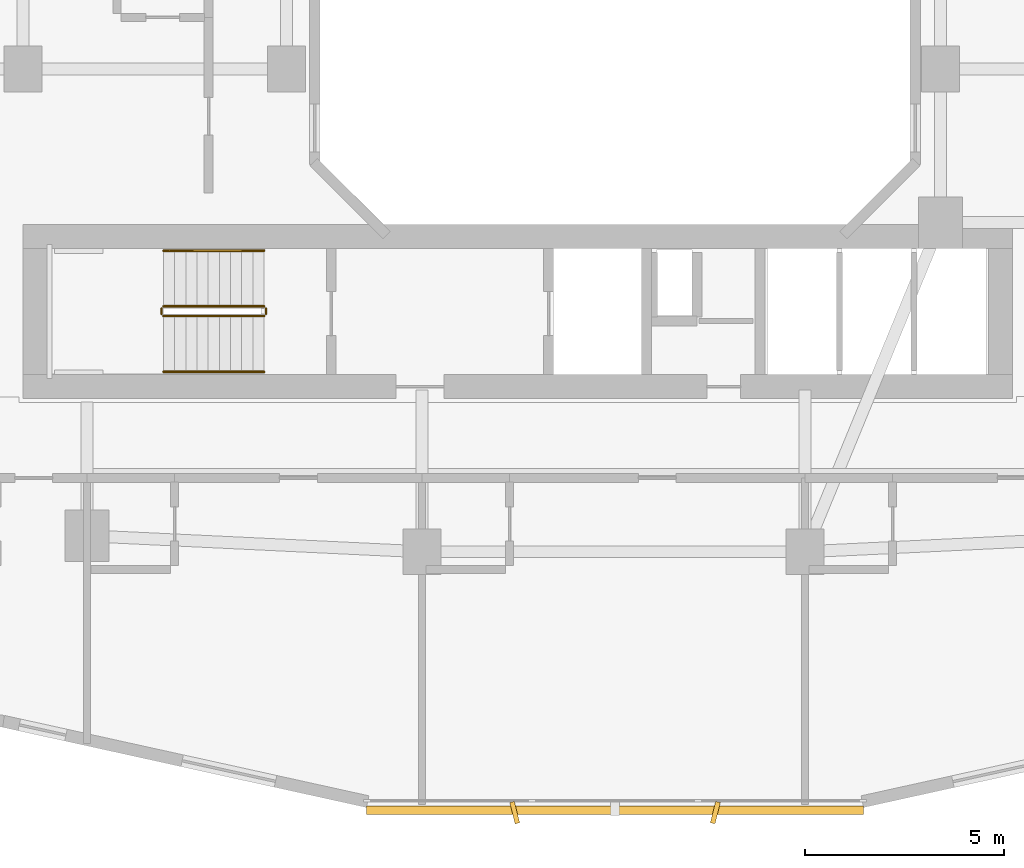
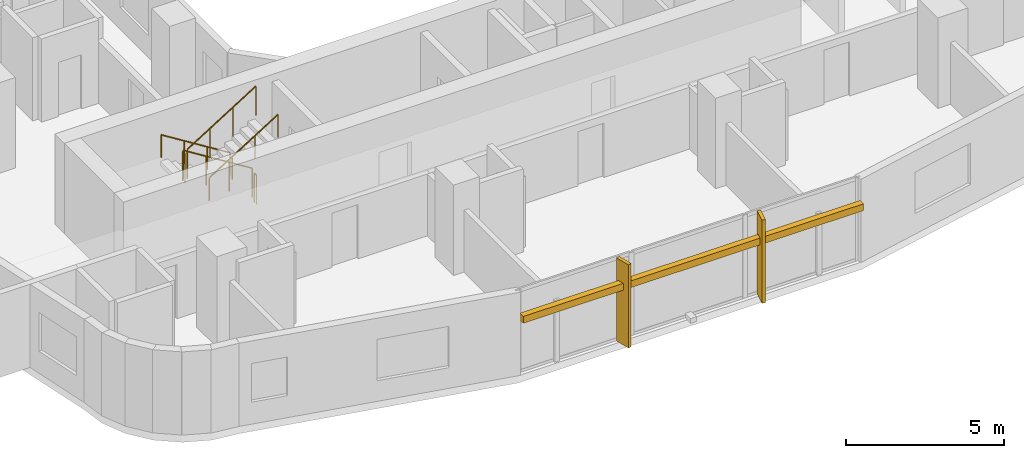
# One storey, part 23 of 27: 6 railings, 3 shading devices.
"""IFC4 building model written with IfcOpenShell, lengths in metres."""

from ifc_helpers import new_model, si_unit, derived_unit, direction, frame, origin, origin_2d, place, context, subcontext, project, spatial, rectangle, circle, extrude, material, type_object, element, save


model = new_model("IFC4")

# Units and contexts
model_context = context("Model", 3, precision=1e-05, world=origin(), true_north=direction((0.0, 1.0)))
body_context = subcontext(model_context, "Body", "Model", "MODEL_VIEW")
ifc_project = project(units=[si_unit("LENGTHUNIT", "METRE"), si_unit("AREAUNIT", "SQUARE_METRE"), si_unit("VOLUMEUNIT", "CUBIC_METRE"), si_unit("PLANEANGLEUNIT", "RADIAN"), si_unit("MASSUNIT", "GRAM", prefix="KILO"), derived_unit("THERMALTRANSMITTANCEUNIT", [(si_unit("POWERUNIT", "WATT"), 1), (si_unit("LENGTHUNIT", "METRE"), -2), (si_unit("THERMODYNAMICTEMPERATUREUNIT", "KELVIN"), -1)])], contexts=[model_context])

# Site, building, storey
site_placement = place(None, origin())
site = spatial("IfcSite", under=ifc_project, at=site_placement, CompositionType="ELEMENT")
building_placement = place(site_placement, origin())
building = spatial("IfcBuilding", under=site, at=building_placement, Name="Kivonza Crest Hotel", CompositionType="ELEMENT")
storey_placement = place(building_placement, frame((0.0, 0.0, 34.5)))
storey = spatial("IfcBuildingStorey", under=building, at=storey_placement, Name="L08", CompositionType="ELEMENT", Elevation=34.5)

# Railings
ifc_material_1 = material(Name="Brushed stainless steel handrail", Category="steel")
railing_type_1 = type_object("IfcRailingType", Name="RL-HAND-900", PredefinedType="HANDRAIL", material=ifc_material_1)
railing_1_placement = place(storey_placement, frame((12.239990234375, 16.949951171875, 0.175048828125)))
element("IfcRailing", 1, at=railing_1_placement, inside=storey, type_object=railing_type_1, Name="L08 ST-T1-S stair handrail 1", PredefinedType="HANDRAIL", context=body_context, shape_type="SweptSolid", body=[
    extrude(circle(Radius=0.02392578125, at=origin_2d()), frame((0.0, 0.0, 0.8759765625), z_axis=(-0.848007534815, 0.0, 0.529984170421), x_axis=(0.0, -1.0, 0.0)), (0.0, 0.0, 1.0), 2.9716796875),
    extrude(circle(Radius=0.02099609375, at=origin_2d()), origin(), (0.0, 0.0, 1.0), 0.851806640625),
    extrude(circle(Radius=0.02099609375, at=origin_2d()), frame((-0.840087890625, 0.0, 0.52490234375)), (0.0, 0.0, 1.0), 0.851806640625),
    extrude(circle(Radius=0.02099609375, at=origin_2d()), frame((-1.679931640625, 0.0, 1.050048828125)), (0.0, 0.0, 1.0), 0.851806640625),
    extrude(circle(Radius=0.02099609375, at=origin_2d()), frame((-2.52001953125, 0.0, 1.574951171875)), (0.0, 0.0, 1.0), 0.851806640625),
])
railing_2_placement = place(storey_placement, frame((9.719970703125, 13.909912109375, 1.925048828125)))
element("IfcRailing", 2, at=railing_2_placement, inside=storey, type_object=railing_type_1, Name="L08 ST-T1-S stair handrail 2", PredefinedType="HANDRAIL", context=body_context, shape_type="SweptSolid", body=[
    extrude(circle(Radius=0.02392578125, at=origin_2d()), frame((0.0, 0.0, 0.8759765625), z_axis=(0.848007534815, 0.0, 0.529984170421), x_axis=(0.0, 1.0, 0.0)), (0.0, 0.0, 1.0), 2.9716796875),
    extrude(circle(Radius=0.02099609375, at=origin_2d()), origin(), (0.0, 0.0, 1.0), 0.851806640625),
    extrude(circle(Radius=0.02099609375, at=origin_2d()), frame((0.840087890625, 0.0, 0.52490234375)), (0.0, 0.0, 1.0), 0.851806640625),
    extrude(circle(Radius=0.02099609375, at=origin_2d()), frame((1.679931640625, 0.0, 1.050048828125)), (0.0, 0.0, 1.0), 0.851806640625),
    extrude(circle(Radius=0.02099609375, at=origin_2d()), frame((2.52001953125, 0.0, 1.574951171875)), (0.0, 0.0, 1.0), 0.851806640625),
])
ifc_material_2 = material(Name="Painted steel balustrade", Category="steel")
railing_type_2 = type_object("IfcRailingType", Name="RL-STAIR-1150", PredefinedType="BALUSTRADE", material=ifc_material_2)
railing_3_placement = place(storey_placement, frame((12.239990234375, 15.550048828125, 0.175048828125)))
element("IfcRailing", 3, at=railing_3_placement, inside=storey, type_object=railing_type_2, Name="L08 ST-T1-S stair guard 1", PredefinedType="BALUSTRADE", context=body_context, shape_type="SweptSolid", body=[
    extrude(circle(Radius=0.02392578125, at=origin_2d()), frame((0.0, 0.0, 1.1259765625), z_axis=(-0.848007534815, 0.0, 0.529984170421), x_axis=(0.0, -1.0, 0.0)), (0.0, 0.0, 1.0), 2.9716796875),
    extrude(circle(Radius=0.02099609375, at=origin_2d()), origin(), (0.0, 0.0, 1.0), 1.101806640625),
    extrude(circle(Radius=0.02099609375, at=origin_2d()), frame((-0.840087890625, 0.0, 0.52490234375)), (0.0, 0.0, 1.0), 1.101806640625),
    extrude(circle(Radius=0.02099609375, at=origin_2d()), frame((-1.679931640625, 0.0, 1.050048828125)), (0.0, 0.0, 1.0), 1.101806640625),
    extrude(circle(Radius=0.02099609375, at=origin_2d()), frame((-2.52001953125, 0.0, 1.574951171875)), (0.0, 0.0, 1.0), 1.101806640625),
])
railing_4_placement = place(storey_placement, frame((9.669921875, 15.5, 1.75)))
element("IfcRailing", 4, at=railing_4_placement, inside=storey, type_object=railing_type_2, Name="L08 ST-T1-S stair guard 2", PredefinedType="BALUSTRADE", context=body_context, shape_type="SweptSolid", body=[
    extrude(circle(Radius=0.02392578125, at=origin_2d()), frame((0.0, 0.0, 1.1259765625), z_axis=(0.0, -1.0, 0.0), x_axis=(1.0, 0.0, 0.0)), (0.0, 0.0, 1.0), 0.139892578125),
    extrude(circle(Radius=0.02099609375, at=origin_2d()), origin(), (0.0, 0.0, 1.0), 1.101806640625),
    extrude(circle(Radius=0.02099609375, at=origin_2d()), frame((0.0, -0.139892578125, 0.0)), (0.0, 0.0, 1.0), 1.101806640625),
])
railing_5_placement = place(storey_placement, frame((9.719970703125, 15.31005859375, 1.925048828125)))
element("IfcRailing", 5, at=railing_5_placement, inside=storey, type_object=railing_type_2, Name="L08 ST-T1-S stair guard 3", PredefinedType="BALUSTRADE", context=body_context, shape_type="SweptSolid", body=[
    extrude(circle(Radius=0.02392578125, at=origin_2d()), frame((0.0, 0.0, 1.1259765625), z_axis=(0.848007534815, 0.0, 0.529984170421), x_axis=(0.0, 1.0, 0.0)), (0.0, 0.0, 1.0), 2.9716796875),
    extrude(circle(Radius=0.02099609375, at=origin_2d()), origin(), (0.0, 0.0, 1.0), 1.101806640625),
    extrude(circle(Radius=0.02099609375, at=origin_2d()), frame((0.840087890625, 0.0, 0.52490234375)), (0.0, 0.0, 1.0), 1.101806640625),
    extrude(circle(Radius=0.02099609375, at=origin_2d()), frame((1.679931640625, 0.0, 1.050048828125)), (0.0, 0.0, 1.0), 1.101806640625),
    extrude(circle(Radius=0.02099609375, at=origin_2d()), frame((2.52001953125, 0.0, 1.574951171875)), (0.0, 0.0, 1.0), 1.101806640625),
])
railing_6_placement = place(storey_placement, frame((12.2900390625, 15.5, 0.0)))
element("IfcRailing", 6, at=railing_6_placement, inside=storey, type_object=railing_type_2, Name="L08 ST-T1-S stair guard 4", PredefinedType="BALUSTRADE", context=body_context, shape_type="SweptSolid", body=[
    extrude(circle(Radius=0.02392578125, at=origin_2d()), frame((0.0, 0.0, 1.1259765625), z_axis=(0.0, -1.0, 0.0), x_axis=(1.0, 0.0, 0.0)), (0.0, 0.0, 1.0), 0.139892578125),
    extrude(circle(Radius=0.02099609375, at=origin_2d()), origin(), (0.0, 0.0, 1.0), 1.101806640625),
    extrude(circle(Radius=0.02099609375, at=origin_2d()), frame((0.0, -0.139892578125, 0.0)), (0.0, 0.0, 1.0), 1.101806640625),
])

# Shading devices
ifc_material_3 = material(Name="Kiln-fired Nairobi red-ochre terracotta", Category="masonry")
shading_device_type_1 = type_object("IfcShadingDeviceType", Name="SH-BAGUETTE-300", PredefinedType="USERDEFINED", material=ifc_material_3)
shading_device_placement = place(storey_placement, frame((21.0400390625, 2.919921875, 2.1240234375), z_axis=(0.0, 0.0, 1.0), x_axis=(1.0, 0.0, 0.0)))
element("IfcShadingDevice", 7, at=shading_device_placement, inside=storey, type_object=shading_device_type_1, Name="L08 terracotta baguette screen CW-T1-L08-08", ObjectType="BAGUETTE", PredefinedType="USERDEFINED", context=body_context, shape_type="SweptSolid", body=[
    extrude(rectangle(XDim=12.4560546875, YDim=0.219970703125, at=origin_2d()), origin(), (0.0, 0.0, 1.0), 0.260009765625),
])
ifc_material_4 = material(Name="Kiln-fired terracotta over extruded aluminium spine", Category="masonry")
shading_device_type_2 = type_object("IfcShadingDeviceType", Name="SH-FIN-550", PredefinedType="USERDEFINED", material=ifc_material_4)
for number, where, z_axis, x_axis, name in (
    (8, (18.52490234375, 2.860107421875, 0.0), (0.0, 0.0, 1.0), (0.970295726276, 0.2419218956, 0.0), "L08 vertical solar shading fin CW-T1-L08-08-1"),
    (9, (23.554931640625, 2.860107421875, 0.0), (0.0, 0.0, 1.0), (0.970295726276, -0.2419218956, 0.0), "L08 vertical solar shading fin CW-T1-L08-08-2"),
):
    element("IfcShadingDevice", number, at=place(storey_placement, frame(where, z_axis=z_axis, x_axis=x_axis)), inside=storey, type_object=shading_device_type_2, Name=name, ObjectType="FIN", PredefinedType="USERDEFINED", context=body_context, shape_type="SweptSolid", body=[
        extrude(rectangle(XDim=0.1201171875, YDim=0.550048828125, at=origin_2d()), origin(), (0.0, 0.0, 1.0), 3.219970703125),
    ])

save(model, "model.ifc")
